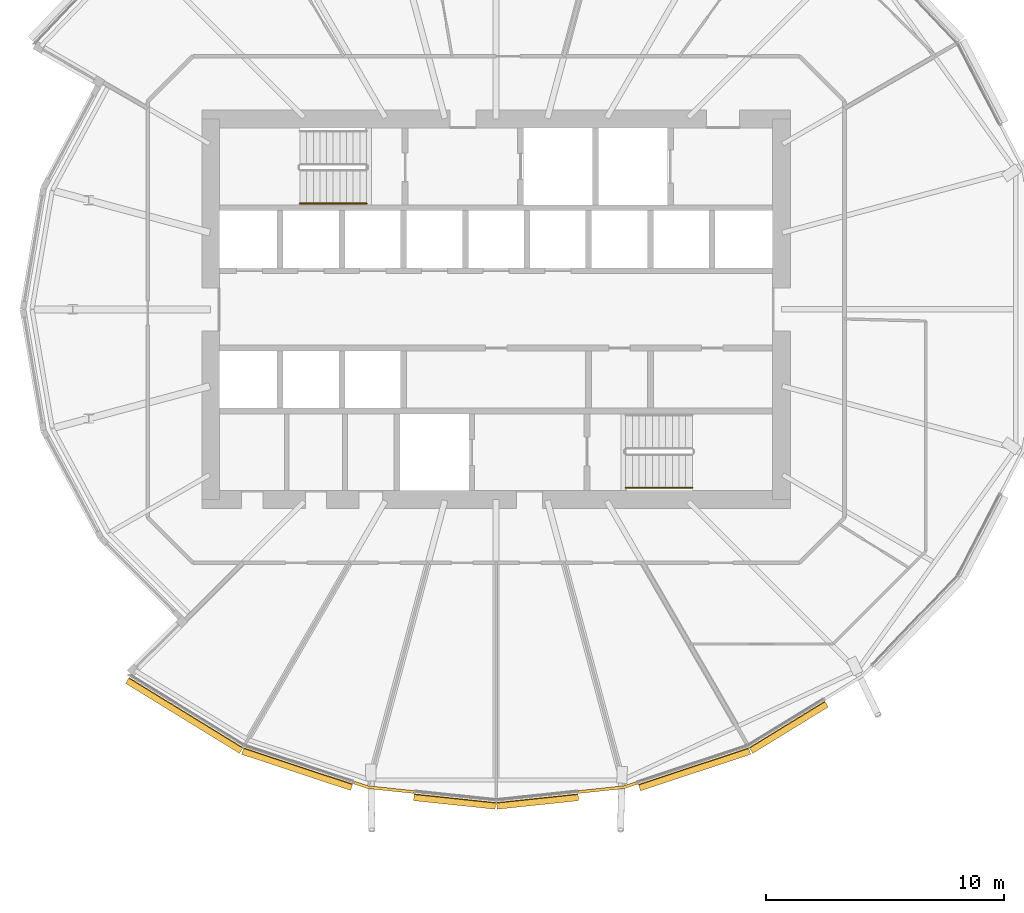
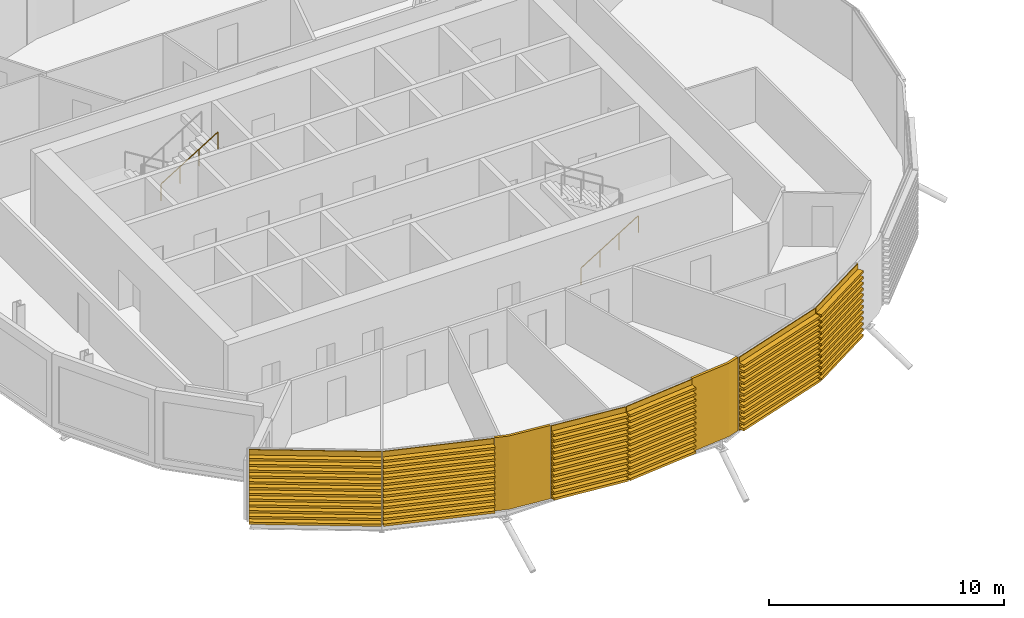
# One storey, part 33 of 38: 8 coverings, 2 railings.
"""IFC4 building model written with IfcOpenShell, lengths in metres."""

import ifcopenshell
import ifcopenshell.guid

model = None  # the IFC model being written
_history = None  # IfcOwnerHistory: only IFC2X3 demands one
_inside = {}  # id of a spatial element -> (the spatial element, [elements in it])
_under = {}  # id of a project, library or spatial element -> (it, [spatial elements below it])
_declared = {}  # id of a project -> (the project, [libraries it declares])
_typed = {}  # id of a type object -> (the type object, [elements of that type])
_made_of = {}  # id of a material, layer set ... -> (it, [elements and type objects made of it])


def new_model(schema):
    """Start an empty IFC model of exactly this schema.

    Asked for "IFC4X3", IfcOpenShell would pick the latest addendum, in which some entities
    have other attributes; the version numbers below select the first issue.
    IFC2X3 requires an IfcOwnerHistory on every rooted entity: one is made here for all.
    """
    global model, _history
    if schema == "IFC4X3":
        model = ifcopenshell.file(schema_version=(4, 3, 0, 0))
    else:
        model = ifcopenshell.file(schema=schema)
    _inside.clear()
    _under.clear()
    _declared.clear()
    _typed.clear()
    _made_of.clear()
    _history = None
    if model.schema == "IFC2X3":
        org = make("IfcOrganization", Name="unknown")
        user = make(
            "IfcPersonAndOrganization",
            ThePerson=make("IfcPerson", FamilyName="unknown"),
            TheOrganization=org,
        )
        app = make(
            "IfcApplication",
            ApplicationDeveloper=org,
            Version="unknown",
            ApplicationFullName="unknown",
            ApplicationIdentifier="unknown",
        )
        _history = make(
            "IfcOwnerHistory",
            OwningUser=user,
            OwningApplication=app,
            ChangeAction="ADDED",
            CreationDate=0,
        )
    return model


def make(cls, **values):
    """One entity of the class cls with the attributes given. An attribute that is None is left unset."""
    return model.create_entity(
        cls, **{name: value for name, value in values.items() if value is not None}
    )


def rooted(cls, **values):
    """An entity with a GlobalId (a new one), such as an element, a storey or a relation."""
    return make(cls, GlobalId=ifcopenshell.guid.new(), OwnerHistory=_history, **values)


def si_unit(unit_type, name, prefix=None):
    """IfcSIUnit, for example si_unit("LENGTHUNIT", "METRE", prefix="MILLI")."""
    return make("IfcSIUnit", UnitType=unit_type, Prefix=prefix, Name=name)


def assignment(units):
    """IfcUnitAssignment: the units of a project."""
    return None if units is None else make("IfcUnitAssignment", Units=units)


def point(xyz):
    """IfcCartesianPoint."""
    return None if xyz is None else make("IfcCartesianPoint", Coordinates=xyz)


def direction(xyz):
    """IfcDirection."""
    return None if xyz is None else make("IfcDirection", DirectionRatios=xyz)


def frame(location, z_axis=None, x_axis=None):
    """IfcAxis2Placement3D, a coordinate frame: its origin and axes. An axis left out is left unset."""
    return make(
        "IfcAxis2Placement3D",
        Location=point(location),
        Axis=direction(z_axis),
        RefDirection=direction(x_axis),
    )


def frame_2d(location, x_axis=None):
    """IfcAxis2Placement2D, a coordinate frame in the plane: its origin and x axis."""
    return make(
        "IfcAxis2Placement2D", Location=point(location), RefDirection=direction(x_axis)
    )


def origin():
    """The frame at (0, 0, 0) with its axes left unset."""
    return frame((0.0, 0.0, 0.0))


def origin_2d():
    """The frame at (0, 0) in the plane with its x axis left unset."""
    return frame_2d((0.0, 0.0))


def place(relative_to, where):
    """IfcLocalPlacement: puts the frame where relative to a parent placement (None: the world)."""
    return make(
        "IfcLocalPlacement", PlacementRelTo=relative_to, RelativePlacement=where
    )


def context(
    kind, dimensions, precision=None, world=None, true_north=None, identifier=None
):
    """IfcGeometricRepresentationContext, for example the 3D "Model" context."""
    return make(
        "IfcGeometricRepresentationContext",
        ContextIdentifier=identifier,
        ContextType=kind,
        CoordinateSpaceDimension=dimensions,
        Precision=precision,
        WorldCoordinateSystem=world,
        TrueNorth=true_north,
    )


def subcontext(parent, identifier, kind, view, scale=None):
    """IfcGeometricRepresentationSubContext, for example "Body" below "Model"."""
    return make(
        "IfcGeometricRepresentationSubContext",
        ContextIdentifier=identifier,
        ContextType=kind,
        ParentContext=parent,
        TargetScale=scale,
        TargetView=view,
    )


def project(units=None, contexts=None):
    """IfcProject with its units and contexts."""
    return rooted(
        "IfcProject",
        Name="project",
        RepresentationContexts=contexts,
        UnitsInContext=assignment(units),
    )


def spatial(cls, under=None, at=None, **own):
    """A site, building, storey or space (cls), placed at a placement, below another one or the project."""
    s = rooted(cls, ObjectPlacement=at, **own)
    if under is not None:
        _under.setdefault(under.id(), (under, []))[1].append(s)
    return s


def polyline(points):
    """IfcPolyline through the points."""
    return make("IfcPolyline", Points=[point(p) for p in points])


def profile(cls, at=None, kind="AREA", **sizes):
    """A parametric profile (cls). Its sizes go by their IFC names, for example OverallWidth=200.0."""
    return make(cls, ProfileType=kind, Position=at, **sizes)


def circle(**sizes):
    """IfcCircleProfileDef."""
    return profile("IfcCircleProfileDef", **sizes)


def outline(outer, holes=None, kind="AREA"):
    """IfcArbitraryClosedProfileDef: a profile drawn as a closed curve; with holes, ...WithVoids."""
    if holes is None:
        return make("IfcArbitraryClosedProfileDef", ProfileType=kind, OuterCurve=outer)
    return make(
        "IfcArbitraryProfileDefWithVoids",
        ProfileType=kind,
        OuterCurve=outer,
        InnerCurves=holes,
    )


def extrude(swept, where, along, depth):
    """IfcExtrudedAreaSolid: the profile swept, set in the frame where, extruded along a direction by depth."""
    return make(
        "IfcExtrudedAreaSolid",
        SweptArea=swept,
        Position=where,
        ExtrudedDirection=direction(along),
        Depth=depth,
    )


def shape(context_of_items, identifier, shape_type, items):
    """IfcShapeRepresentation: the items that make up one representation, for example the "Body"."""
    return make(
        "IfcShapeRepresentation",
        ContextOfItems=context_of_items,
        RepresentationIdentifier=identifier,
        RepresentationType=shape_type,
        Items=items,
    )


def material(Name=None, Category=None):
    """IfcMaterial."""
    return make("IfcMaterial", Name=Name, Category=Category)


def layer(
    of_material, thickness, ventilated=None, Name=None, Category=None, Priority=None
):
    """IfcMaterialLayer: one layer of a wall or slab, of a material (None: an air gap)."""
    return make(
        "IfcMaterialLayer",
        Material=of_material,
        LayerThickness=thickness,
        IsVentilated=ventilated,
        Name=Name,
        Category=Category,
        Priority=Priority,
    )


def layer_set(layers, Name=None):
    """IfcMaterialLayerSet."""
    return make("IfcMaterialLayerSet", MaterialLayers=layers, LayerSetName=Name)


def material_profile(
    of_material, cross_section, Name=None, Category=None, Priority=None
):
    """IfcMaterialProfile: a cross section and its material."""
    return make(
        "IfcMaterialProfile",
        Name=Name,
        Material=of_material,
        Profile=cross_section,
        Priority=Priority,
        Category=Category,
    )


def profile_set(profiles, Name=None, composite=None):
    """IfcMaterialProfileSet."""
    return make(
        "IfcMaterialProfileSet",
        Name=Name,
        MaterialProfiles=profiles,
        CompositeProfile=composite,
    )


def made_of(thing, what):
    """Note that an element or type object is made of a material, layer set ...; save() writes the relation."""
    if what is not None:
        _made_of.setdefault(what.id(), (what, []))[1].append(thing)
    return thing


def type_object(cls, material=None, **own):
    """A type object (cls), such as IfcWallType, which elements share."""
    return made_of(rooted(cls, **own), material)


def element(
    cls,
    number,
    at=None,
    inside=None,
    cuts=None,
    type_object=None,
    material=None,
    context=None,
    identifier="Body",
    shape_type=None,
    held_by="IfcProductDefinitionShape",
    body=None,
    shapes=None,
    **own,
):
    """One element of the class cls, such as IfcWall. Its Tag is "e" and its number.

    at: its placement. inside: the storey or other place that contains it. cuts: it is an
    opening in that element (IfcRelVoidsElement). A single representation is given by context,
    identifier, shape_type and body (its items); several are given by shapes. held_by: the class
    of the entity that holds the representations. save() writes the other relations.
    """
    e = rooted(cls, Tag="e%d" % number, ObjectPlacement=at, **own)
    if body is not None:
        shapes = [shape(context, identifier, shape_type, body)]
    if shapes is not None:
        e.Representation = make(held_by, Representations=shapes)
    if inside is not None:
        _inside.setdefault(inside.id(), (inside, []))[1].append(e)
    if cuts is not None:
        rooted(
            "IfcRelVoidsElement", RelatingBuildingElement=cuts, RelatedOpeningElement=e
        )
    if type_object is not None:
        _typed.setdefault(type_object.id(), (type_object, []))[1].append(e)
    return made_of(e, material)


def aggregate(whole, parts):
    """IfcRelAggregates: a whole, such as a stair, and the parts it consists of."""
    return rooted("IfcRelAggregates", RelatingObject=whole, RelatedObjects=parts)


def save(model, path):
    """Write the relations noted so far, then the file.

    IfcRelAggregates (storeys below a building ...), IfcRelContainedInSpatialStructure (elements
    in a storey), IfcRelDefinesByType, IfcRelAssociatesMaterial and IfcRelDeclares: one each for
    every whole, place, type object, material and project.
    """
    for whole, parts in _under.values():
        aggregate(whole, parts)
    for where, things in _inside.values():
        rooted(
            "IfcRelContainedInSpatialStructure",
            RelatedElements=things,
            RelatingStructure=where,
        )
    for kind, things in _typed.values():
        rooted("IfcRelDefinesByType", RelatedObjects=things, RelatingType=kind)
    for what, things in _made_of.values():
        rooted("IfcRelAssociatesMaterial", RelatedObjects=things, RelatingMaterial=what)
    for by, libraries in _declared.values():
        rooted("IfcRelDeclares", RelatingContext=by, RelatedDefinitions=libraries)
    model.write(path)


model = new_model("IFC4")

# Units and contexts
model_context = context("Model", 3, precision=1e-05, world=origin(), true_north=direction((0.0, 1.0)))
body_context = subcontext(model_context, "Body", "Model", "MODEL_VIEW")
ifc_project = project(units=[si_unit("LENGTHUNIT", "METRE"), si_unit("AREAUNIT", "SQUARE_METRE"), si_unit("VOLUMEUNIT", "CUBIC_METRE"), si_unit("PLANEANGLEUNIT", "RADIAN"), si_unit("MASSUNIT", "GRAM", prefix="KILO")], contexts=[model_context])

# Site, building, storey
site_placement = place(None, origin())
site = spatial("IfcSite", under=ifc_project, at=site_placement, CompositionType="ELEMENT")
building_placement = place(site_placement, origin())
building = spatial("IfcBuilding", under=site, at=building_placement, Name="Rimbun Link Towers", CompositionType="ELEMENT")
storey_placement = place(building_placement, frame((0.0, 0.0, 119.60009765625)))
storey = spatial("IfcBuildingStorey", under=building, at=storey_placement, Name="L29", CompositionType="ELEMENT", Elevation=119.60009765625)

# Coverings
ifc_material_1 = material(Name="Terracotta", Category="masonry")
ifc_layer = layer(ifc_material_1, 0.1201171875)
ifc_layer_set = layer_set([ifc_layer], Name="LINK PIER terracotta cladding 120")
covering_type_1 = type_object("IfcCoveringType", Name="LINK PIER terracotta cladding 120", PredefinedType="CLADDING", material=ifc_layer_set)
covering_1_placement = place(storey_placement, origin())
element("IfcCovering", 1, at=covering_1_placement, inside=storey, type_object=covering_type_1, Name="LINK PIER cladding", PredefinedType="CLADDING", context=body_context, shape_type="SweptSolid", body=[
    extrude(outline(polyline([(-35.20849609375, -20.23486328125), (-37.117919921875, -20.03369140625), (-37.70654296875, -19.838623046875), (-37.744384765625, -19.95263671875), (-37.1435546875, -20.151611328125), (-35.22119140625, -20.354248046875), (-35.20849609375, -20.23486328125)])), origin(), (0.0, 0.0, 1.0), 3.7998046875),
])
covering_2_placement = place(storey_placement, origin())
element("IfcCovering", 2, at=covering_2_placement, inside=storey, type_object=covering_type_1, Name="LINK PIER cladding", PredefinedType="CLADDING", context=body_context, shape_type="SweptSolid", body=[
    extrude(outline(polyline([(-25.8408203125, -19.8544921875), (-26.382080078125, -20.03369140625), (-28.29150390625, -20.23486328125), (-28.27880859375, -20.354248046875), (-26.3564453125, -20.151611328125), (-25.80322265625, -19.96826171875), (-25.8408203125, -19.8544921875)])), origin(), (0.0, 0.0, 1.0), 3.7998046875),
])

# Railings
ifc_material_2 = material(Name="Stainless steel grade 316", Category="steel")
railing_type = type_object("IfcRailingType", Name="Stair handrail", PredefinedType="HANDRAIL", material=ifc_material_2)
for number, where, name in (
    (3, (-40.0, 4.449951171875, 2.072509765625), "L29 ST1 stair handrail 2"),
    (4, (-26.300048828125, -7.5, 0.172607421875), "L29 ST2 stair handrail 1"),
):
    element("IfcRailing", number, at=place(storey_placement, frame(where)), inside=storey, type_object=railing_type, Name=name, PredefinedType="HANDRAIL", context=body_context, shape_type="SweptSolid", body=[
        extrude(circle(Radius=0.02392578125, at=origin_2d()), frame((0.0, 0.0, 0.8759765625), z_axis=(0.851089632645, 0.0, 0.525020415988), x_axis=(0.0, 1.0, 0.0)), (0.0, 0.0, 1.0), 3.2900390625),
        extrude(circle(Radius=0.02099609375, at=origin_2d()), origin(), (0.0, 0.0, 1.0), 0.851806640625),
        extrude(circle(Radius=0.02099609375, at=origin_2d()), frame((0.933349609375, 0.0, 0.57568359375)), (0.0, 0.0, 1.0), 0.851806640625),
        extrude(circle(Radius=0.02099609375, at=origin_2d()), frame((1.86669921875, 0.0, 1.151611328125)), (0.0, 0.0, 1.0), 0.851806640625),
        extrude(circle(Radius=0.02099609375, at=origin_2d()), frame((2.800048828125, 0.0, 1.727294921875)), (0.0, 0.0, 1.0), 0.851806640625),
    ])

# Coverings
ifc_material_3 = material(Name="Terracotta", Category="masonry")
ifc_material_profile = material_profile(ifc_material_3, outline(polyline([(0.123046875, 0.0), (0.1630859375, 0.0), (0.1630859375, 0.10009765625), (0.423095703125, 0.10009765625), (0.423095703125, 0.219970703125), (0.1630859375, 0.219970703125), (0.1630859375, 0.39990234375), (0.423095703125, 0.39990234375), (0.423095703125, 0.52001953125), (0.1630859375, 0.52001953125), (0.1630859375, 0.699951171875), (0.423095703125, 0.699951171875), (0.423095703125, 0.820068359375), (0.1630859375, 0.820068359375), (0.1630859375, 1.0), (0.423095703125, 1.0), (0.423095703125, 1.1201171875), (0.1630859375, 1.1201171875), (0.1630859375, 1.300048828125), (0.423095703125, 1.300048828125), (0.423095703125, 1.419921875), (0.1630859375, 1.419921875), (0.1630859375, 1.60009765625), (0.423095703125, 1.60009765625), (0.423095703125, 1.719970703125), (0.1630859375, 1.719970703125), (0.1630859375, 1.89990234375), (0.423095703125, 1.89990234375), (0.423095703125, 2.02001953125), (0.1630859375, 2.02001953125), (0.1630859375, 2.199951171875), (0.423095703125, 2.199951171875), (0.423095703125, 2.320068359375), (0.1630859375, 2.320068359375), (0.1630859375, 2.5), (0.423095703125, 2.5), (0.423095703125, 2.6201171875), (0.1630859375, 2.6201171875), (0.1630859375, 2.800048828125), (0.423095703125, 2.800048828125), (0.423095703125, 2.919921875), (0.1630859375, 2.919921875), (0.1630859375, 3.10009765625), (0.423095703125, 3.10009765625), (0.423095703125, 3.219970703125), (0.1630859375, 3.219970703125), (0.1630859375, 3.39990234375), (0.423095703125, 3.39990234375), (0.423095703125, 3.52001953125), (0.1630859375, 3.52001953125), (0.1630859375, 3.800048828125), (0.123046875, 3.800048828125), (0.123046875, 0.0)])), Name="BAGUETTE 120X300")
ifc_profile_set = profile_set([ifc_material_profile], Name="Terracotta")
covering_type_2 = type_object("IfcCoveringType", Name="TERRACOTTA BAGUETTE 120X300 H3800", PredefinedType="CLADDING", material=ifc_profile_set)
covering_3_placement = place(storey_placement, frame((-42.321044921875, -18.3095703125, 0.0), z_axis=(-0.852160023154, 0.523281277076, 0.0), x_axis=(-0.523281277076, -0.852160023154, 0.0)))
element("IfcCovering", 5, at=covering_3_placement, inside=storey, type_object=covering_type_2, Name="TERRACOTTA BAGUETTE", PredefinedType="CLADDING", context=body_context, shape_type="SweptSolid", body=[
    extrude(outline(polyline([(0.123046875, 0.0), (0.1630859375, 0.0), (0.1630859375, 0.10009765625), (0.423095703125, 0.10009765625), (0.423095703125, 0.219970703125), (0.1630859375, 0.219970703125), (0.1630859375, 0.39990234375), (0.423095703125, 0.39990234375), (0.423095703125, 0.52001953125), (0.1630859375, 0.52001953125), (0.1630859375, 0.699951171875), (0.423095703125, 0.699951171875), (0.423095703125, 0.820068359375), (0.1630859375, 0.820068359375), (0.1630859375, 1.0), (0.423095703125, 1.0), (0.423095703125, 1.1201171875), (0.1630859375, 1.1201171875), (0.1630859375, 1.300048828125), (0.423095703125, 1.300048828125), (0.423095703125, 1.419921875), (0.1630859375, 1.419921875), (0.1630859375, 1.60009765625), (0.423095703125, 1.60009765625), (0.423095703125, 1.719970703125), (0.1630859375, 1.719970703125), (0.1630859375, 1.89990234375), (0.423095703125, 1.89990234375), (0.423095703125, 2.02001953125), (0.1630859375, 2.02001953125), (0.1630859375, 2.199951171875), (0.423095703125, 2.199951171875), (0.423095703125, 2.320068359375), (0.1630859375, 2.320068359375), (0.1630859375, 2.5), (0.423095703125, 2.5), (0.423095703125, 2.6201171875), (0.1630859375, 2.6201171875), (0.1630859375, 2.800048828125), (0.423095703125, 2.800048828125), (0.423095703125, 2.919921875), (0.1630859375, 2.919921875), (0.1630859375, 3.10009765625), (0.423095703125, 3.10009765625), (0.423095703125, 3.219970703125), (0.1630859375, 3.219970703125), (0.1630859375, 3.39990234375), (0.423095703125, 3.39990234375), (0.423095703125, 3.52001953125), (0.1630859375, 3.52001953125), (0.1630859375, 3.800048828125), (0.123046875, 3.800048828125), (0.123046875, 0.0)])), origin(), (0.0, 0.0, 1.0), 5.626220703125),
])
covering_4_placement = place(storey_placement, frame((-37.735107421875, -19.829345703125, 0.0), z_axis=(-0.94923268065, 0.314574820967, 0.0), x_axis=(-0.314574820967, -0.94923268065, 0.0)))
element("IfcCovering", 6, at=covering_4_placement, inside=storey, type_object=covering_type_2, Name="TERRACOTTA BAGUETTE", PredefinedType="CLADDING", context=body_context, shape_type="SweptSolid", body=[
    extrude(outline(polyline([(0.123046875, 0.0), (0.1630859375, 0.0), (0.1630859375, 0.10009765625), (0.423095703125, 0.10009765625), (0.423095703125, 0.219970703125), (0.1630859375, 0.219970703125), (0.1630859375, 0.39990234375), (0.423095703125, 0.39990234375), (0.423095703125, 0.52001953125), (0.1630859375, 0.52001953125), (0.1630859375, 0.699951171875), (0.423095703125, 0.699951171875), (0.423095703125, 0.820068359375), (0.1630859375, 0.820068359375), (0.1630859375, 1.0), (0.423095703125, 1.0), (0.423095703125, 1.1201171875), (0.1630859375, 1.1201171875), (0.1630859375, 1.300048828125), (0.423095703125, 1.300048828125), (0.423095703125, 1.419921875), (0.1630859375, 1.419921875), (0.1630859375, 1.60009765625), (0.423095703125, 1.60009765625), (0.423095703125, 1.719970703125), (0.1630859375, 1.719970703125), (0.1630859375, 1.89990234375), (0.423095703125, 1.89990234375), (0.423095703125, 2.02001953125), (0.1630859375, 2.02001953125), (0.1630859375, 2.199951171875), (0.423095703125, 2.199951171875), (0.423095703125, 2.320068359375), (0.1630859375, 2.320068359375), (0.1630859375, 2.5), (0.423095703125, 2.5), (0.423095703125, 2.6201171875), (0.1630859375, 2.6201171875), (0.1630859375, 2.800048828125), (0.423095703125, 2.800048828125), (0.423095703125, 2.919921875), (0.1630859375, 2.919921875), (0.1630859375, 3.10009765625), (0.423095703125, 3.10009765625), (0.423095703125, 3.219970703125), (0.1630859375, 3.219970703125), (0.1630859375, 3.39990234375), (0.423095703125, 3.39990234375), (0.423095703125, 3.52001953125), (0.1630859375, 3.52001953125), (0.1630859375, 3.800048828125), (0.123046875, 3.800048828125), (0.123046875, 0.0)])), origin(), (0.0, 0.0, 1.0), 4.831298828125),
])
for number, where, z_axis, x_axis, name in (
    (7, (-31.75, -20.59912109375, 0.0), (-0.99450040754, 0.104732704554, 0.0), (-0.104732704554, -0.99450040754, 0.0), "TERRACOTTA BAGUETTE"),
    (8, (-28.3212890625, -20.238037109375, 0.0), (-0.99450040754, -0.104732704554, 0.0), (0.104732704554, -0.99450040754, 0.0), "TERRACOTTA BAGUETTE"),
):
    element("IfcCovering", number, at=place(storey_placement, frame(where, z_axis=z_axis, x_axis=x_axis)), inside=storey, type_object=covering_type_2, Name=name, PredefinedType="CLADDING", context=body_context, shape_type="SweptSolid", body=[
        extrude(outline(polyline([(0.123046875, 0.0), (0.1630859375, 0.0), (0.1630859375, 0.10009765625), (0.423095703125, 0.10009765625), (0.423095703125, 0.219970703125), (0.1630859375, 0.219970703125), (0.1630859375, 0.39990234375), (0.423095703125, 0.39990234375), (0.423095703125, 0.52001953125), (0.1630859375, 0.52001953125), (0.1630859375, 0.699951171875), (0.423095703125, 0.699951171875), (0.423095703125, 0.820068359375), (0.1630859375, 0.820068359375), (0.1630859375, 1.0), (0.423095703125, 1.0), (0.423095703125, 1.1201171875), (0.1630859375, 1.1201171875), (0.1630859375, 1.300048828125), (0.423095703125, 1.300048828125), (0.423095703125, 1.419921875), (0.1630859375, 1.419921875), (0.1630859375, 1.60009765625), (0.423095703125, 1.60009765625), (0.423095703125, 1.719970703125), (0.1630859375, 1.719970703125), (0.1630859375, 1.89990234375), (0.423095703125, 1.89990234375), (0.423095703125, 2.02001953125), (0.1630859375, 2.02001953125), (0.1630859375, 2.199951171875), (0.423095703125, 2.199951171875), (0.423095703125, 2.320068359375), (0.1630859375, 2.320068359375), (0.1630859375, 2.5), (0.423095703125, 2.5), (0.423095703125, 2.6201171875), (0.1630859375, 2.6201171875), (0.1630859375, 2.800048828125), (0.423095703125, 2.800048828125), (0.423095703125, 2.919921875), (0.1630859375, 2.919921875), (0.1630859375, 3.10009765625), (0.423095703125, 3.10009765625), (0.423095703125, 3.219970703125), (0.1630859375, 3.219970703125), (0.1630859375, 3.39990234375), (0.423095703125, 3.39990234375), (0.423095703125, 3.52001953125), (0.1630859375, 3.52001953125), (0.1630859375, 3.800048828125), (0.123046875, 3.800048828125), (0.123046875, 0.0)])), origin(), (0.0, 0.0, 1.0), 3.44775390625),
    ])
covering_5_placement = place(storey_placement, frame((-21.178955078125, -18.3095703125, 0.0), z_axis=(-0.949241981904, -0.314546752948, 0.0), x_axis=(0.314546752948, -0.949241981904, 0.0)))
element("IfcCovering", 9, at=covering_5_placement, inside=storey, type_object=covering_type_2, Name="TERRACOTTA BAGUETTE", PredefinedType="CLADDING", context=body_context, shape_type="SweptSolid", body=[
    extrude(outline(polyline([(0.123046875, 0.0), (0.1630859375, 0.0), (0.1630859375, 0.10009765625), (0.423095703125, 0.10009765625), (0.423095703125, 0.219970703125), (0.1630859375, 0.219970703125), (0.1630859375, 0.39990234375), (0.423095703125, 0.39990234375), (0.423095703125, 0.52001953125), (0.1630859375, 0.52001953125), (0.1630859375, 0.699951171875), (0.423095703125, 0.699951171875), (0.423095703125, 0.820068359375), (0.1630859375, 0.820068359375), (0.1630859375, 1.0), (0.423095703125, 1.0), (0.423095703125, 1.1201171875), (0.1630859375, 1.1201171875), (0.1630859375, 1.300048828125), (0.423095703125, 1.300048828125), (0.423095703125, 1.419921875), (0.1630859375, 1.419921875), (0.1630859375, 1.60009765625), (0.423095703125, 1.60009765625), (0.423095703125, 1.719970703125), (0.1630859375, 1.719970703125), (0.1630859375, 1.89990234375), (0.423095703125, 1.89990234375), (0.423095703125, 2.02001953125), (0.1630859375, 2.02001953125), (0.1630859375, 2.199951171875), (0.423095703125, 2.199951171875), (0.423095703125, 2.320068359375), (0.1630859375, 2.320068359375), (0.1630859375, 2.5), (0.423095703125, 2.5), (0.423095703125, 2.6201171875), (0.1630859375, 2.6201171875), (0.1630859375, 2.800048828125), (0.423095703125, 2.800048828125), (0.423095703125, 2.919921875), (0.1630859375, 2.919921875), (0.1630859375, 3.10009765625), (0.423095703125, 3.10009765625), (0.423095703125, 3.219970703125), (0.1630859375, 3.219970703125), (0.1630859375, 3.39990234375), (0.423095703125, 3.39990234375), (0.423095703125, 3.52001953125), (0.1630859375, 3.52001953125), (0.1630859375, 3.800048828125), (0.123046875, 3.800048828125), (0.123046875, 0.0)])), origin(), (0.0, 0.0, 1.0), 4.88134765625),
])
covering_6_placement = place(storey_placement, frame((-18.003662109375, -16.35986328125, 0.0), z_axis=(-0.852175326292, -0.523256355203, 0.0), x_axis=(0.523256355203, -0.852175326292, 0.0)))
element("IfcCovering", 10, at=covering_6_placement, inside=storey, type_object=covering_type_2, Name="TERRACOTTA BAGUETTE", PredefinedType="CLADDING", context=body_context, shape_type="SweptSolid", body=[
    extrude(outline(polyline([(0.123046875, 0.0), (0.1630859375, 0.0), (0.1630859375, 0.10009765625), (0.423095703125, 0.10009765625), (0.423095703125, 0.219970703125), (0.1630859375, 0.219970703125), (0.1630859375, 0.39990234375), (0.423095703125, 0.39990234375), (0.423095703125, 0.52001953125), (0.1630859375, 0.52001953125), (0.1630859375, 0.699951171875), (0.423095703125, 0.699951171875), (0.423095703125, 0.820068359375), (0.1630859375, 0.820068359375), (0.1630859375, 1.0), (0.423095703125, 1.0), (0.423095703125, 1.1201171875), (0.1630859375, 1.1201171875), (0.1630859375, 1.300048828125), (0.423095703125, 1.300048828125), (0.423095703125, 1.419921875), (0.1630859375, 1.419921875), (0.1630859375, 1.60009765625), (0.423095703125, 1.60009765625), (0.423095703125, 1.719970703125), (0.1630859375, 1.719970703125), (0.1630859375, 1.89990234375), (0.423095703125, 1.89990234375), (0.423095703125, 2.02001953125), (0.1630859375, 2.02001953125), (0.1630859375, 2.199951171875), (0.423095703125, 2.199951171875), (0.423095703125, 2.320068359375), (0.1630859375, 2.320068359375), (0.1630859375, 2.5), (0.423095703125, 2.5), (0.423095703125, 2.6201171875), (0.1630859375, 2.6201171875), (0.1630859375, 2.800048828125), (0.423095703125, 2.800048828125), (0.423095703125, 2.919921875), (0.1630859375, 2.919921875), (0.1630859375, 3.10009765625), (0.423095703125, 3.10009765625), (0.423095703125, 3.219970703125), (0.1630859375, 3.219970703125), (0.1630859375, 3.39990234375), (0.423095703125, 3.39990234375), (0.423095703125, 3.52001953125), (0.1630859375, 3.52001953125), (0.1630859375, 3.800048828125), (0.123046875, 3.800048828125), (0.123046875, 0.0)])), origin(), (0.0, 0.0, 1.0), 3.72607421875),
])

save(model, "model.ifc")
